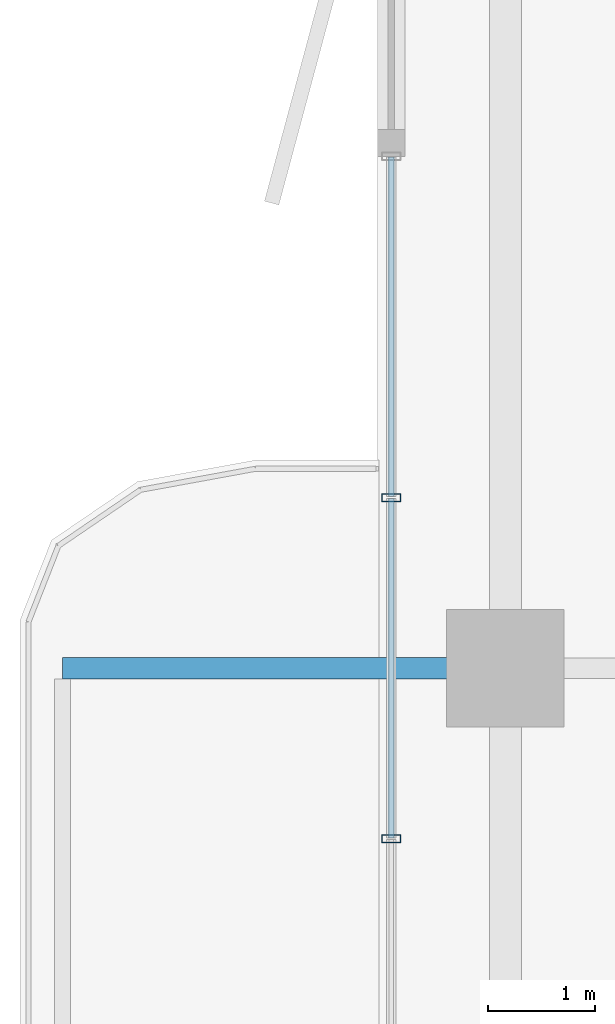
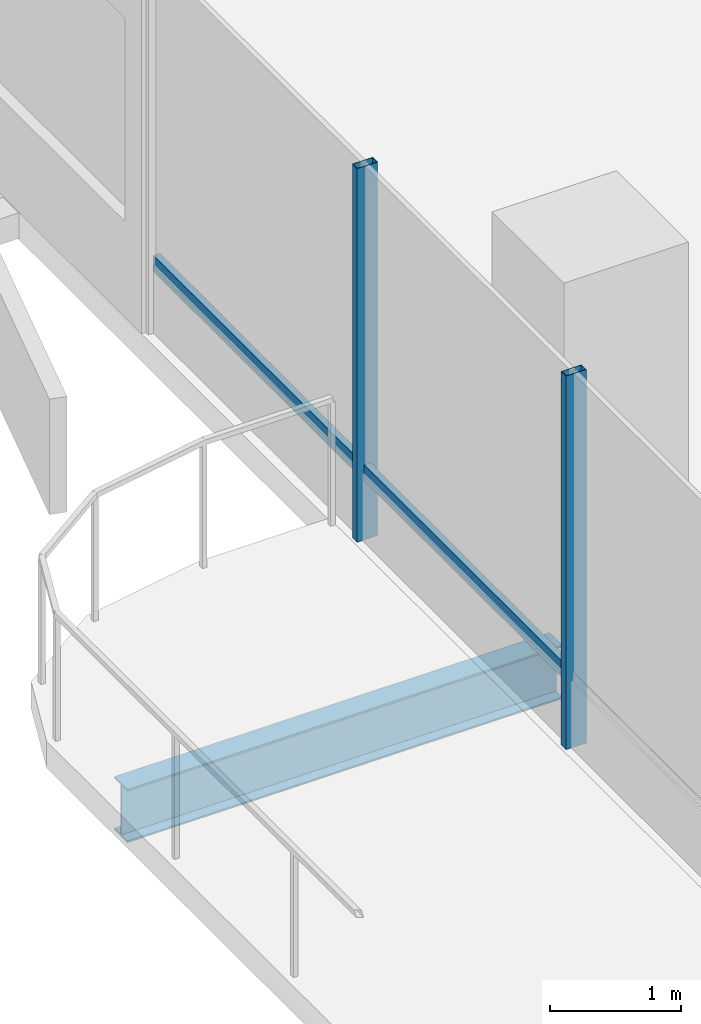
# One storey, part 6 of 25: 4 members, 1 beam, 1 element without a shape of its own.
"""IFC4 building model written with IfcOpenShell, lengths in metres."""

from ifc_helpers import new_model, si_unit, direction, frame, origin, origin_2d, place, context, subcontext, project, spatial, hollow_rectangle, i_section, extrude, material, layer, layer_set, material_profile, profile_set, type_object, element, aggregate, save


model = new_model("IFC4")

# Units and contexts
model_context = context("Model", 3, precision=1e-05, world=origin(), true_north=direction((0.0, 1.0)))
body_context = subcontext(model_context, "Body", "Model", "MODEL_VIEW")
ifc_project = project(units=[si_unit("LENGTHUNIT", "METRE"), si_unit("AREAUNIT", "SQUARE_METRE"), si_unit("VOLUMEUNIT", "CUBIC_METRE"), si_unit("PLANEANGLEUNIT", "RADIAN"), si_unit("MASSUNIT", "GRAM", prefix="KILO")], contexts=[model_context])

# Site, building, storey
site_placement = place(None, origin())
site = spatial("IfcSite", under=ifc_project, at=site_placement, CompositionType="ELEMENT")
building_placement = place(site_placement, origin())
building = spatial("IfcBuilding", under=site, at=building_placement, Name="Belovzor Exchange Tower", CompositionType="ELEMENT")
storey_placement = place(building_placement, frame((0.0, 0.0, 175.800048828125)))
storey = spatial("IfcBuildingStorey", under=building, at=storey_placement, Name="L43", CompositionType="ELEMENT", Elevation=175.800048828125)

# Beam
ifc_material_1 = material(Name="Steel S355", Category="steel")
ifc_material_profile_1 = material_profile(ifc_material_1, i_section(OverallWidth=0.199951171875, OverallDepth=0.5, WebThickness=0.01025390625, FlangeThickness=0.01611328125, at=origin_2d()))
ifc_profile_set_1 = profile_set([ifc_material_profile_1], Name="Steel S355")
beam_type = type_object("IfcBeamType", Name="Planted Balcony Cantilever Beam IPE 500", PredefinedType="BEAM", material=ifc_profile_set_1)
beam_placement = place(storey_placement, frame((5.39697265625, 28.800048828125, -0.505126953125), z_axis=(-1.0, 0.0, 0.0), x_axis=(0.0, -1.0, 0.0)))
element("IfcBeam", 1, at=beam_placement, inside=storey, type_object=beam_type, Name="BC-500 Planted Balcony Cantilever Beam IPE 500", PredefinedType="BEAM", context=body_context, shape_type="SweptSolid", body=[
    extrude(i_section(OverallWidth=0.199951171875, OverallDepth=0.5, WebThickness=0.01025390625, FlangeThickness=0.01611328125, at=origin_2d()), origin(), (0.0, 0.0, 1.0), 3.849853515625),
])

# Curtain wall, members
ifc_material_2 = material(Name="Anodised Aluminium Framing", Category="aluminium")
ifc_layer = layer(ifc_material_2, 0.179931640625)
ifc_layer_set = layer_set([ifc_layer], Name="Anodised Aluminium Framing")
curtain_wall_type = type_object("IfcCurtainWallType", Name="Recessed Loggia Low-Iron Triple-Glazed Curtain Wall", PredefinedType="NOTDEFINED", material=ifc_layer_set)
curtain_wall_placement = place(storey_placement, origin())
curtain_wall = element("IfcCurtainWall", 2, at=curtain_wall_placement, inside=storey, type_object=curtain_wall_type, Name="CW3 Recessed Loggia Low-Iron Triple-Glazed Curtain Wall L43", PredefinedType="NOTDEFINED")
ifc_material_3 = material(Name="Steel S355", Category="steel")
ifc_material_profile_2 = material_profile(ifc_material_3, hollow_rectangle(XDim=0.074951171875, YDim=0.179931640625, WallThickness=0.0048828125, at=origin_2d()))
ifc_profile_set_2 = profile_set([ifc_material_profile_2], Name="Steel S355")
member_type_1 = type_object("IfcMemberType", Name="Thermally Broken Curtain Wall Mullion 180x75", PredefinedType="MULLION", material=ifc_profile_set_2)
member_1_placement = place(storey_placement, frame((4.6298828125, 27.199951171875, 0.0), z_axis=(0.0, 0.0, 1.0), x_axis=(0.0, 1.0, 0.0)))
member_1 = element("IfcMember", 3, at=member_1_placement, type_object=member_type_1, Name="CW-M180 Curtain Wall Mullion 2", PredefinedType="MULLION", context=body_context, shape_type="SweptSolid", body=[
    extrude(hollow_rectangle(XDim=0.074951171875, YDim=0.179931640625, WallThickness=0.0048828125, at=origin_2d()), origin(), (0.0, 0.0, 1.0), 3.494873046875),
])
member_2_placement = place(storey_placement, frame((4.6298828125, 30.39990234375, 0.0), z_axis=(0.0, 0.0, 1.0), x_axis=(0.0, 1.0, 0.0)))
member_2 = element("IfcMember", 4, at=member_2_placement, type_object=member_type_1, Name="CW-M180 Curtain Wall Mullion 3", PredefinedType="MULLION", context=body_context, shape_type="SweptSolid", body=[
    extrude(hollow_rectangle(XDim=0.074951171875, YDim=0.179931640625, WallThickness=0.0048828125, at=origin_2d()), origin(), (0.0, 0.0, 1.0), 3.494873046875),
])
ifc_material_4 = material(Name="Steel S355", Category="steel")
ifc_material_profile_3 = material_profile(ifc_material_4, hollow_rectangle(XDim=0.06005859375, YDim=0.14990234375, WallThickness=0.00390625, at=origin_2d()))
ifc_profile_set_3 = profile_set([ifc_material_profile_3], Name="Steel S355")
member_type_2 = type_object("IfcMemberType", Name="Thermally Broken Curtain Wall Transom 150x60", PredefinedType="USERDEFINED", material=ifc_profile_set_3)
member_3_placement = place(storey_placement, frame((4.6298828125, 27.2080078125, 0.62890625), z_axis=(0.0, 1.0, 0.0), x_axis=(-1.0, 0.0, 0.0)))
member_3 = element("IfcMember", 5, at=member_3_placement, type_object=member_type_2, Name="CW-T150 Curtain Wall Transom 2", ObjectType="TRANSOM", PredefinedType="USERDEFINED", context=body_context, shape_type="SweptSolid", body=[
    extrude(hollow_rectangle(XDim=0.06005859375, YDim=0.14990234375, WallThickness=0.00390625, at=origin_2d()), origin(), (0.0, 0.0, 1.0), 3.18408203125),
])
member_4_placement = place(storey_placement, frame((4.6298828125, 30.407958984375, 0.62890625), z_axis=(0.0, 1.0, 0.0), x_axis=(-1.0, 0.0, 0.0)))
member_4 = element("IfcMember", 6, at=member_4_placement, type_object=member_type_2, Name="CW-T150 Curtain Wall Transom 3", ObjectType="TRANSOM", PredefinedType="USERDEFINED", context=body_context, shape_type="SweptSolid", body=[
    extrude(hollow_rectangle(XDim=0.06005859375, YDim=0.14990234375, WallThickness=0.00390625, at=origin_2d()), origin(), (0.0, 0.0, 1.0), 3.18408203125),
])
aggregate(curtain_wall, [member_1, member_2, member_3, member_4])

save(model, "model.ifc")
